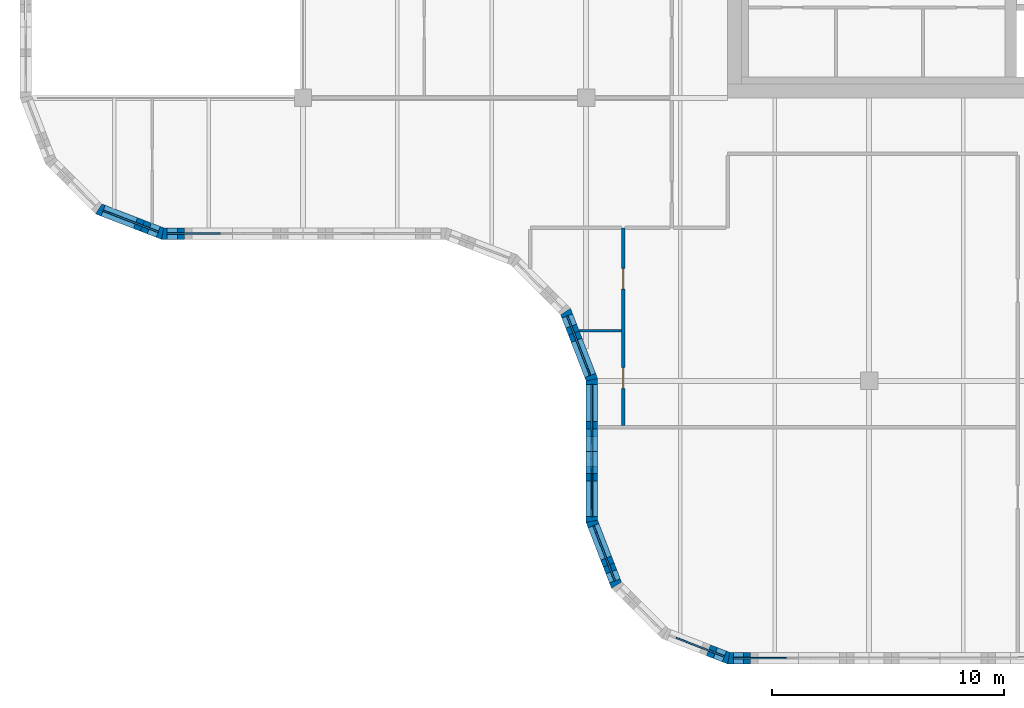
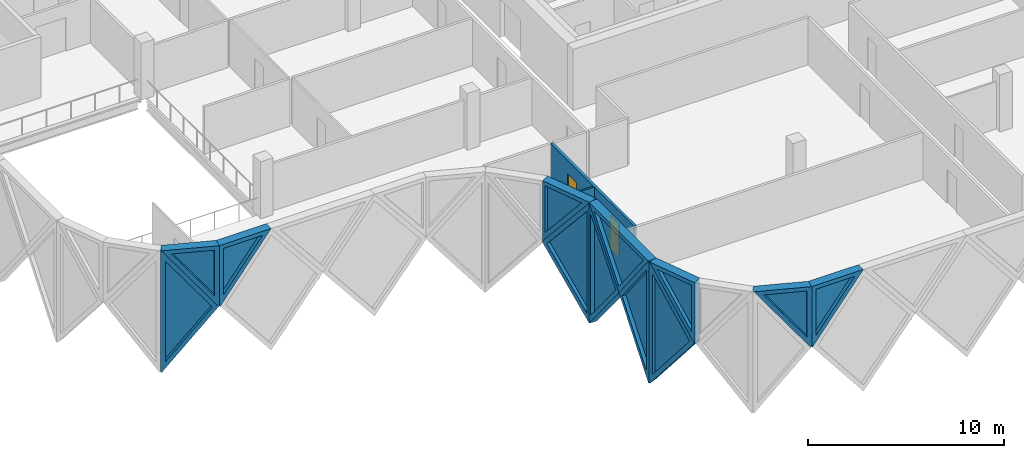
# One storey, part 3 of 15: 14 walls, 12 plates, 2 doors, 14 openings.
"""IFC4 building model written with IfcOpenShell, lengths in metres."""

from ifc_helpers import new_model, si_unit, direction, frame, frame_2d, origin, place, context, subcontext, project, spatial, polyline, rectangle, outline, extrude, faceted_brep, source, transform, mapped, material, layer, layer_set, type_object, element, fill, save


model = new_model("IFC4")

# Units and contexts
model_context = context("Model", 3, precision=1e-05, world=origin(), true_north=direction((0.0, 1.0)))
body_context = subcontext(model_context, "Body", "Model", "MODEL_VIEW")
ifc_project = project(units=[si_unit("LENGTHUNIT", "METRE"), si_unit("AREAUNIT", "SQUARE_METRE"), si_unit("VOLUMEUNIT", "CUBIC_METRE"), si_unit("PLANEANGLEUNIT", "RADIAN"), si_unit("MASSUNIT", "GRAM", prefix="KILO")], contexts=[model_context])

# Site, building, storey
site_placement = place(None, origin())
site = spatial("IfcSite", under=ifc_project, at=site_placement, CompositionType="ELEMENT")
building_placement = place(site_placement, origin())
building = spatial("IfcBuilding", under=site, at=building_placement, Name="Tessera Gate Towers", CompositionType="ELEMENT")
storey_placement = place(building_placement, frame((0.0, 0.0, 189.60009765625)))
storey = spatial("IfcBuildingStorey", under=building, at=storey_placement, Name="L47", CompositionType="ELEMENT", Elevation=189.60009765625)

# Wall
ifc_material_1 = material(Name="Gypsum board on steel studs", Category="steel")
ifc_layer_1 = layer(ifc_material_1, 0.10009765625)
ifc_layer_set_1 = layer_set([ifc_layer_1], Name="PARTITION 100")
wall_type_1 = type_object("IfcWallType", Name="PARTITION 100", PredefinedType="PARTITIONING", material=ifc_layer_set_1)
wall_1_placement = place(storey_placement, frame((24.104736328125, 14.35498046875, 0.0), z_axis=(0.0, 0.0, 1.0), x_axis=(1.0, 0.0, 0.0)))
element("IfcWall", 1, at=wall_1_placement, inside=storey, type_object=wall_type_1, Name="T1-L47-PW-011", PredefinedType="PARTITIONING", context=body_context, shape_type="SweptSolid", body=[
    extrude(rectangle(XDim=1.8193359375, YDim=0.10009765625, at=frame_2d((0.90966796875, 0.0))), origin(), (0.0, 0.0, 1.0), 2.947021484375),
])

# Wall, openings, doors
ifc_material_2 = material(Name="Gypsum board on steel studs, mineral wool", Category="steel")
ifc_layer_2 = layer(ifc_material_2, 0.14990234375)
ifc_layer_set_2 = layer_set([ifc_layer_2], Name="TENANCY WALL 150")
wall_type_2 = type_object("IfcWallType", Name="TENANCY WALL 150", PredefinedType="PARTITIONING", material=ifc_layer_set_2)
wall_2_placement = place(storey_placement, frame((26.0, 10.27587890625, 0.0), z_axis=(0.0, 0.0, 1.0), x_axis=(0.0, 1.0, 0.0)))
wall_2 = element("IfcWall", 2, at=wall_2_placement, inside=storey, type_object=wall_type_2, Name="T1-L47-PW-007", PredefinedType="PARTITIONING", context=body_context, shape_type="SweptSolid", body=[
    extrude(rectangle(XDim=8.524169921875, YDim=0.14990234375, at=frame_2d((4.26220703125, 0.0))), origin(), (0.0, 0.0, 1.0), 2.947021484375),
])
shared_shape_1 = source(origin(), body_context, "Body", "SweptSolid", [
    extrude(rectangle(XDim=0.89990234375, YDim=2.10009765625, at=frame_2d((0.449951171875, 1.050048828125))), frame((0.0, 0.0849609375, 0.0), z_axis=(0.0, -1.0, 0.0), x_axis=(1.0, 0.0, 0.0)), (0.0, 0.0, 1.0), 0.169921875),
])
opening_1_placement = place(wall_2_placement, frame((1.60009765625, 0.0, 0.0)))
opening_1 = element("IfcOpeningElement", 3, at=opening_1_placement, cuts=wall_2, Name="Opening D190-A17-01", PredefinedType="OPENING", context=body_context, shape_type="MappedRepresentation", body=[
    mapped(shared_shape_1, transform((0.0, 0.0, 0.0), scale=1.0)),
])
opening_2_placement = place(wall_2_placement, frame((5.878662109375, 0.0, 0.0)))
opening_2 = element("IfcOpeningElement", 4, at=opening_2_placement, cuts=wall_2, Name="Opening D190-A17-02", PredefinedType="OPENING", context=body_context, shape_type="MappedRepresentation", body=[
    mapped(shared_shape_1, transform((0.0, 0.0, 0.0), scale=1.0)),
])
ifc_material_3 = material(Name="Timber door leaf in steel frame", Category="steel")
door_type = type_object("IfcDoorType", Name="INTERNAL DOOR 900 NOT RATED", OperationType="NOTDEFINED", PredefinedType="DOOR", material=ifc_material_3)
shared_shape_2 = source(origin(), body_context, "Body", "SweptSolid", [
    extrude(rectangle(XDim=0.89990234375, YDim=2.10009765625, at=frame_2d((0.449951171875, 1.050048828125))), frame((0.0, 0.02490234375, 0.0), z_axis=(0.0, -1.0, 0.0), x_axis=(1.0, 0.0, 0.0)), (0.0, 0.0, 1.0), 0.050048828125),
])
door_1_placement = place(opening_1_placement, origin())
door_1 = element("IfcDoor", 5, at=door_1_placement, inside=storey, type_object=door_type, Name="T1-L47-PD-002", OperationType="SINGLE_SWING_LEFT", OverallHeight=2.10009765625, OverallWidth=0.89990234375, PredefinedType="DOOR", context=body_context, shape_type="MappedRepresentation", body=[
    mapped(shared_shape_2, transform((0.0, 0.0, 0.0), scale=1.0)),
])
fill(opening_1, door_1)
door_2_placement = place(opening_2_placement, origin())
door_2 = element("IfcDoor", 6, at=door_2_placement, inside=storey, type_object=door_type, Name="T1-L47-PD-004", OperationType="SINGLE_SWING_LEFT", OverallHeight=2.10009765625, OverallWidth=0.89990234375, PredefinedType="DOOR", context=body_context, shape_type="MappedRepresentation", body=[
    mapped(shared_shape_2, transform((0.0, 0.0, 0.0), scale=1.0)),
])
fill(opening_2, door_2)

# Wall, opening, plate
ifc_material_4 = material(Name="Precast concrete C60/75 white", Category="concrete")
ifc_layer_3 = layer(ifc_material_4, 0.5)
ifc_layer_set_3 = layer_set([ifc_layer_3], Name="TS3 corner tessera")
wall_type_3 = type_object("IfcWallType", Name="TS3 corner tessera", PredefinedType="SOLIDWALL", material=ifc_layer_set_3)
shared_shape_3 = source(origin(), body_context, "Body", "Brep", [
    faceted_brep([(3.00341796875, -0.25, 0.0), (3.050048828125, -0.25, 0.06005859375), (3.050048828125, -0.25, 7.539794921875), (3.00341796875, -0.25, 7.599853515625), (0.0, -0.25, 3.800048828125), (0.0, 0.25, 3.800048828125), (2.956787109375, 0.25, 7.541015625), (2.956787109375, 0.25, 0.058837890625), (3.00341796875, 0.000244140625, 0.0), (3.00341796875, 0.000244140625, 7.599853515625)], [[[0, 1, 2, 3, 4]], [[5, 6, 7]], [[1, 0, 8]], [[9, 3, 2]], [[6, 5, 4, 3, 9]], [[5, 7, 8, 0, 4]], [[1, 8, 7, 6, 9, 2]]]),
])
wall_3_placement = place(storey_placement, frame((24.64990234375, 9.14990234375, -3.800048828125), z_axis=(0.0, 0.0, 1.0), x_axis=(0.0, -1.0, 0.0)))
wall_3 = element("IfcWall", 7, at=wall_3_placement, inside=storey, type_object=wall_type_3, Name="Precast corner tessera T1 TS3-1101", PredefinedType="SOLIDWALL", context=body_context, shape_type="MappedRepresentation", body=[
    mapped(shared_shape_3, transform((0.0, 0.0, 0.0), scale=1.0)),
])
shared_shape_4 = source(origin(), body_context, "Body", "SweptSolid", [
    extrude(outline(polyline([(2.803466796875, 6.94384765625), (0.318603515625, 3.800048828125), (2.803466796875, 0.65625), (2.803466796875, 6.94384765625)])), frame((0.0, 0.260009765625, 0.0), z_axis=(0.0, -1.0, 0.0), x_axis=(1.0, 0.0, 0.0)), (0.0, 0.0, 1.0), 0.52001953125),
])
opening_3_placement = place(wall_3_placement, origin())
opening_3 = element("IfcOpeningElement", 8, at=opening_3_placement, cuts=wall_3, Name="Opening T1-PL2-1735", PredefinedType="OPENING", context=body_context, shape_type="MappedRepresentation", body=[
    mapped(shared_shape_4, transform((0.0, 0.0, 0.0), scale=1.0)),
])
ifc_material_5 = material(Name="Low-e laminated glass", Category="glass")
ifc_layer_4 = layer(ifc_material_5, 0.06005859375)
ifc_layer_set_4 = layer_set([ifc_layer_4], Name="PL2 rhombic pane")
plate_type_1 = type_object("IfcPlateType", Name="PL2 rhombic pane", PredefinedType="SHEET", material=ifc_layer_set_4)
shared_shape_5 = source(origin(), body_context, "Body", "SweptSolid", [
    extrude(outline(polyline([(2.803466796875, 6.94384765625), (0.318603515625, 3.800048828125), (2.803466796875, 0.65625), (2.803466796875, 6.94384765625)])), frame((0.0, 0.030029296875, 0.0), z_axis=(0.0, -1.0, 0.0), x_axis=(1.0, 0.0, 0.0)), (0.0, 0.0, 1.0), 0.06005859375),
])
plate_1_placement = place(opening_3_placement, origin())
plate_1 = element("IfcPlate", 9, at=plate_1_placement, inside=storey, type_object=plate_type_1, Name="Glass pane T1 PL2-1735", PredefinedType="SHEET", context=body_context, shape_type="MappedRepresentation", body=[
    mapped(shared_shape_5, transform((0.0, 0.0, 0.0), scale=1.0)),
])
fill(opening_3, plate_1)

shared_shape_6 = source(origin(), body_context, "Body", "Brep", [
    faceted_brep([(0.046630859375, -0.25, 0.0), (2.9970703125, -0.25, 3.800048828125), (0.046630859375, -0.25, 7.599853515625), (0.0, -0.25, 7.541015625), (0.0, -0.25, 0.058837890625), (0.09326171875, 0.25, 7.539794921875), (2.9443359375, 0.25, 3.8681640625), (2.9443359375, 0.25, 3.73193359375), (0.09326171875, 0.25, 0.06005859375), (2.9970703125, 0.00048828125, 3.800048828125), (0.046630859375, 0.0, 0.0), (0.046630859375, 0.0, 7.599853515625)], [[[0, 1, 2, 3, 4]], [[5, 6, 7, 8]], [[8, 7, 9, 1, 0, 10]], [[6, 5, 11, 2, 1, 9]], [[3, 2, 11]], [[10, 0, 4]], [[8, 10, 4, 3, 11, 5]], [[7, 6, 9]]]),
])
wall_4_placement = place(storey_placement, frame((24.63330078125, 6.18994140625, -3.800048828125), z_axis=(0.0, 0.0, 1.0), x_axis=(0.359901446078, -0.932990326376, 0.0)))
wall_4 = element("IfcWall", 10, at=wall_4_placement, inside=storey, type_object=wall_type_3, Name="Precast corner tessera T1 TS3-1102", PredefinedType="SOLIDWALL", context=body_context, shape_type="MappedRepresentation", body=[
    mapped(shared_shape_6, transform((0.0, 0.0, 0.0), scale=1.0)),
])
shared_shape_7 = source(origin(), body_context, "Body", "SweptSolid", [
    extrude(outline(polyline([(0.24658203125, 0.665283203125), (2.6806640625, 3.800048828125), (0.24658203125, 6.934814453125), (0.24658203125, 0.665283203125)])), frame((0.0, 0.260009765625, 0.0), z_axis=(0.0, -1.0, 0.0), x_axis=(1.0, 0.0, 0.0)), (0.0, 0.0, 1.0), 0.52001953125),
])
opening_4_placement = place(wall_4_placement, origin())
opening_4 = element("IfcOpeningElement", 11, at=opening_4_placement, cuts=wall_4, Name="Opening T1-PL2-1736", PredefinedType="OPENING", context=body_context, shape_type="MappedRepresentation", body=[
    mapped(shared_shape_7, transform((0.0, 0.0, 0.0), scale=1.0)),
])
shared_shape_8 = source(origin(), body_context, "Body", "SweptSolid", [
    extrude(outline(polyline([(0.24658203125, 0.665283203125), (2.6806640625, 3.800048828125), (0.24658203125, 6.934814453125), (0.24658203125, 0.665283203125)])), frame((0.0, 0.030029296875, 0.0), z_axis=(0.0, -1.0, 0.0), x_axis=(1.0, 0.0, 0.0)), (0.0, 0.0, 1.0), 0.06005859375),
])
plate_2_placement = place(opening_4_placement, origin())
plate_2 = element("IfcPlate", 12, at=plate_2_placement, inside=storey, type_object=plate_type_1, Name="Glass pane T1 PL2-1736", PredefinedType="SHEET", context=body_context, shape_type="MappedRepresentation", body=[
    mapped(shared_shape_8, transform((0.0, 0.0, 0.0), scale=1.0)),
])
fill(opening_4, plate_2)

shared_shape_9 = source(origin(), body_context, "Body", "Brep", [
    faceted_brep([(0.052978515625, -0.25, 0.0), (3.00341796875, -0.25, 3.800048828125), (0.052978515625, -0.25, 7.599853515625), (0.0, -0.25, 7.531494140625), (0.0, -0.25, 0.068359375), (0.10595703125, 0.25, 7.53173828125), (2.95703125, 0.25, 3.85986328125), (2.95703125, 0.25, 3.740234375), (0.10595703125, 0.25, 0.068115234375), (3.00341796875, 0.00048828125, 3.800048828125), (0.052978515625, 0.0, 0.0), (0.052978515625, 0.0, 7.599853515625)], [[[0, 1, 2, 3, 4]], [[5, 6, 7, 8]], [[8, 7, 9, 1, 0, 10]], [[6, 5, 11, 2, 1, 9]], [[3, 2, 11]], [[10, 0, 4]], [[8, 10, 4, 3, 11, 5]], [[7, 6, 9]]]),
])
wall_5_placement = place(storey_placement, frame((3.34423828125, 19.630859375, -3.800048828125), z_axis=(0.0, 0.0, 1.0), x_axis=(0.933007896601, -0.359855894603, 0.0)))
wall_5 = element("IfcWall", 13, at=wall_5_placement, inside=storey, type_object=wall_type_3, Name="Precast corner tessera T1 TS3-1096", PredefinedType="SOLIDWALL", context=body_context, shape_type="MappedRepresentation", body=[
    mapped(shared_shape_9, transform((0.0, 0.0, 0.0), scale=1.0)),
])
shared_shape_10 = source(origin(), body_context, "Body", "SweptSolid", [
    extrude(outline(polyline([(0.2529296875, 0.665283203125), (2.68701171875, 3.800048828125), (0.2529296875, 6.934814453125), (0.2529296875, 0.665283203125)])), frame((0.0, 0.260009765625, 0.0), z_axis=(0.0, -1.0, 0.0), x_axis=(1.0, 0.0, 0.0)), (0.0, 0.0, 1.0), 0.52001953125),
])
opening_5_placement = place(wall_5_placement, origin())
opening_5 = element("IfcOpeningElement", 14, at=opening_5_placement, cuts=wall_5, Name="Opening T1-PL2-1728", PredefinedType="OPENING", context=body_context, shape_type="MappedRepresentation", body=[
    mapped(shared_shape_10, transform((0.0, 0.0, 0.0), scale=1.0)),
])
shared_shape_11 = source(origin(), body_context, "Body", "SweptSolid", [
    extrude(outline(polyline([(0.2529296875, 0.665283203125), (2.68701171875, 3.800048828125), (0.2529296875, 6.934814453125), (0.2529296875, 0.665283203125)])), frame((0.0, 0.030029296875, 0.0), z_axis=(0.0, -1.0, 0.0), x_axis=(1.0, 0.0, 0.0)), (0.0, 0.0, 1.0), 0.06005859375),
])
plate_3_placement = place(opening_5_placement, origin())
plate_3 = element("IfcPlate", 15, at=plate_3_placement, inside=storey, type_object=plate_type_1, Name="Glass pane T1 PL2-1728", PredefinedType="SHEET", context=body_context, shape_type="MappedRepresentation", body=[
    mapped(shared_shape_11, transform((0.0, 0.0, 0.0), scale=1.0)),
])
fill(opening_5, plate_3)

shared_shape_12 = source(origin(), body_context, "Body", "Brep", [
    faceted_brep([(3.10302734375, -0.25, 7.543701171875), (0.052978515625, -0.25, 3.864013671875), (0.052978515625, -0.25, 3.736083984375), (3.10302734375, -0.25, 0.05615234375), (0.0, 0.25, 3.800048828125), (3.1494140625, 0.25, 7.599853515625), (3.196044921875, 0.25, 7.542724609375), (3.196044921875, 0.25, 0.05712890625), (3.1494140625, 0.25, 0.0), (3.1494140625, -0.000244140625, 0.0), (3.1494140625, -0.000244140625, 7.599853515625), (0.0, 0.0, 3.800048828125)], [[[0, 1, 2, 3]], [[4, 5, 6, 7, 8]], [[8, 7, 9]], [[6, 5, 10]], [[5, 4, 11, 1, 0, 10]], [[4, 8, 9, 3, 2, 11]], [[2, 1, 11]], [[3, 9, 7, 6, 10, 0]]]),
])
wall_6_placement = place(storey_placement, frame((23.5166015625, 15.18505859375, -3.800048828125), z_axis=(0.0, 0.0, 1.0), x_axis=(0.359864468756, -0.933004589553, 0.0)))
wall_6 = element("IfcWall", 16, at=wall_6_placement, inside=storey, type_object=wall_type_3, Name="Precast corner tessera T1 TS3-1099", PredefinedType="SOLIDWALL", context=body_context, shape_type="MappedRepresentation", body=[
    mapped(shared_shape_12, transform((0.0, 0.0, 0.0), scale=1.0)),
])
shared_shape_13 = source(origin(), body_context, "Body", "SweptSolid", [
    extrude(outline(polyline([(2.949462890625, 6.966796875), (0.32470703125, 3.800048828125), (2.949462890625, 0.633056640625), (2.949462890625, 6.966796875)])), frame((0.0, 0.260009765625, 0.0), z_axis=(0.0, -1.0, 0.0), x_axis=(1.0, 0.0, 0.0)), (0.0, 0.0, 1.0), 0.52001953125),
])
opening_6_placement = place(wall_6_placement, origin())
opening_6 = element("IfcOpeningElement", 17, at=opening_6_placement, cuts=wall_6, Name="Opening T1-PL2-1733", PredefinedType="OPENING", context=body_context, shape_type="MappedRepresentation", body=[
    mapped(shared_shape_13, transform((0.0, 0.0, 0.0), scale=1.0)),
])
shared_shape_14 = source(origin(), body_context, "Body", "SweptSolid", [
    extrude(outline(polyline([(2.949462890625, 6.966796875), (0.32470703125, 3.800048828125), (2.949462890625, 0.633056640625), (2.949462890625, 6.966796875)])), frame((0.0, 0.030029296875, 0.0), z_axis=(0.0, -1.0, 0.0), x_axis=(1.0, 0.0, 0.0)), (0.0, 0.0, 1.0), 0.06005859375),
])
plate_4_placement = place(opening_6_placement, origin())
plate_4 = element("IfcPlate", 18, at=plate_4_placement, inside=storey, type_object=plate_type_1, Name="Glass pane T1 PL2-1733", PredefinedType="SHEET", context=body_context, shape_type="MappedRepresentation", body=[
    mapped(shared_shape_14, transform((0.0, 0.0, 0.0), scale=1.0)),
])
fill(opening_6, plate_4)

shared_shape_15 = source(origin(), body_context, "Body", "Brep", [
    faceted_brep([(0.09326171875, -0.25, 0.05712890625), (3.14306640625, -0.25, 3.800048828125), (0.09326171875, -0.25, 7.542724609375), (0.0, 0.25, 7.543701171875), (0.046630859375, 0.25, 7.599853515625), (3.14306640625, 0.25, 3.800048828125), (0.046630859375, 0.25, 0.0), (0.0, 0.25, 0.05615234375), (0.046630859375, 0.0, 0.0), (0.046630859375, 0.0, 7.599853515625)], [[[0, 1, 2]], [[3, 4, 5, 6, 7]], [[6, 5, 1, 0, 8]], [[5, 4, 9, 2, 1]], [[4, 3, 9]], [[7, 6, 8]], [[7, 8, 0, 2, 9, 3]]]),
])
wall_7_placement = place(storey_placement, frame((24.64990234375, 12.293212890625, -3.800048828125), z_axis=(0.0, 0.0, 1.0), x_axis=(0.0, -1.0, 0.0)))
wall_7 = element("IfcWall", 19, at=wall_7_placement, inside=storey, type_object=wall_type_3, Name="Precast corner tessera T1 TS3-1100", PredefinedType="SOLIDWALL", context=body_context, shape_type="MappedRepresentation", body=[
    mapped(shared_shape_15, transform((0.0, 0.0, 0.0), scale=1.0)),
])
shared_shape_16 = source(origin(), body_context, "Body", "SweptSolid", [
    extrude(outline(polyline([(0.24658203125, 0.64111328125), (2.82080078125, 3.800048828125), (0.24658203125, 6.958740234375), (0.24658203125, 0.64111328125)])), frame((0.0, 0.260009765625, 0.0), z_axis=(0.0, -1.0, 0.0), x_axis=(1.0, 0.0, 0.0)), (0.0, 0.0, 1.0), 0.52001953125),
])
opening_7_placement = place(wall_7_placement, origin())
opening_7 = element("IfcOpeningElement", 20, at=opening_7_placement, cuts=wall_7, Name="Opening T1-PL2-1734", PredefinedType="OPENING", context=body_context, shape_type="MappedRepresentation", body=[
    mapped(shared_shape_16, transform((0.0, 0.0, 0.0), scale=1.0)),
])
shared_shape_17 = source(origin(), body_context, "Body", "SweptSolid", [
    extrude(outline(polyline([(0.24658203125, 0.64111328125), (2.82080078125, 3.800048828125), (0.24658203125, 6.958740234375), (0.24658203125, 0.64111328125)])), frame((0.0, 0.030029296875, 0.0), z_axis=(0.0, -1.0, 0.0), x_axis=(1.0, 0.0, 0.0)), (0.0, 0.0, 1.0), 0.06005859375),
])
plate_5_placement = place(opening_7_placement, origin())
plate_5 = element("IfcPlate", 21, at=plate_5_placement, inside=storey, type_object=plate_type_1, Name="Glass pane T1 PL2-1734", PredefinedType="SHEET", context=body_context, shape_type="MappedRepresentation", body=[
    mapped(shared_shape_17, transform((0.0, 0.0, 0.0), scale=1.0)),
])
fill(opening_7, plate_5)

shared_shape_18 = source(origin(), body_context, "Body", "Brep", [
    faceted_brep([(0.046630859375, -0.25, 0.0), (3.050048828125, -0.25, 3.7998046875), (0.0, -0.25, 3.7998046875), (0.0, -0.25, 0.06005859375), (0.09326171875, 0.25, 3.7998046875), (3.050048828125, 0.25, 3.7998046875), (0.09326171875, 0.25, 0.058837890625), (0.046630859375, 0.0, 0.0)], [[[0, 1, 2, 3]], [[4, 5, 6]], [[6, 5, 1, 0, 7]], [[5, 4, 2, 1]], [[7, 0, 3]], [[6, 7, 3, 2, 4]]]),
])
wall_8_placement = place(storey_placement, frame((30.5, 0.25, 0.0), z_axis=(0.0, 0.0, 1.0), x_axis=(1.0, 0.0, 0.0)))
wall_8 = element("IfcWall", 22, at=wall_8_placement, inside=storey, type_object=wall_type_3, Name="Precast corner tessera T1 TS3-1105", PredefinedType="SOLIDWALL", context=body_context, shape_type="MappedRepresentation", body=[
    mapped(shared_shape_18, transform((0.0, 0.0, 0.0), scale=1.0)),
])
shared_shape_19 = source(origin(), body_context, "Body", "SweptSolid", [
    extrude(outline(polyline([(0.24658203125, 0.656005859375), (2.533935546875, 3.5498046875), (0.24658203125, 3.5498046875), (0.24658203125, 0.656005859375)])), frame((0.0, 0.260009765625, 0.0), z_axis=(0.0, -1.0, 0.0), x_axis=(1.0, 0.0, 0.0)), (0.0, 0.0, 1.0), 0.52001953125),
])
opening_8_placement = place(wall_8_placement, origin())
opening_8 = element("IfcOpeningElement", 23, at=opening_8_placement, cuts=wall_8, Name="Opening T1-PL1-0423", PredefinedType="OPENING", context=body_context, shape_type="MappedRepresentation", body=[
    mapped(shared_shape_19, transform((0.0, 0.0, 0.0), scale=1.0)),
])
ifc_material_6 = material(Name="Low-e laminated glass", Category="glass")
ifc_layer_5 = layer(ifc_material_6, 0.06005859375)
ifc_layer_set_5 = layer_set([ifc_layer_5], Name="PL1 triangular pane")
plate_type_2 = type_object("IfcPlateType", Name="PL1 triangular pane", PredefinedType="SHEET", material=ifc_layer_set_5)
shared_shape_20 = source(origin(), body_context, "Body", "SweptSolid", [
    extrude(outline(polyline([(0.24658203125, 0.656005859375), (2.533935546875, 3.5498046875), (0.24658203125, 3.5498046875), (0.24658203125, 0.656005859375)])), frame((0.0, 0.030029296875, 0.0), z_axis=(0.0, -1.0, 0.0), x_axis=(1.0, 0.0, 0.0)), (0.0, 0.0, 1.0), 0.06005859375),
])
plate_6_placement = place(opening_8_placement, origin())
plate_6 = element("IfcPlate", 24, at=plate_6_placement, inside=storey, type_object=plate_type_2, Name="Glass pane T1 PL1-0423", PredefinedType="SHEET", context=body_context, shape_type="MappedRepresentation", body=[
    mapped(shared_shape_20, transform((0.0, 0.0, 0.0), scale=1.0)),
])
fill(opening_8, plate_6)

wall_9_placement = place(storey_placement, frame((6.099853515625, 18.550048828125, 0.0), z_axis=(0.0, 0.0, 1.0), x_axis=(1.0, 0.0, 0.0)))
wall_9 = element("IfcWall", 25, at=wall_9_placement, inside=storey, type_object=wall_type_3, Name="Precast corner tessera T1 TS3-1122", PredefinedType="SOLIDWALL", context=body_context, shape_type="MappedRepresentation", body=[
    mapped(shared_shape_18, transform((0.0, 0.0, 0.0), scale=1.0)),
])
opening_9_placement = place(wall_9_placement, origin())
opening_9 = element("IfcOpeningElement", 26, at=opening_9_placement, cuts=wall_9, Name="Opening T1-PL1-0461", PredefinedType="OPENING", context=body_context, shape_type="MappedRepresentation", body=[
    mapped(shared_shape_19, transform((0.0, 0.0, 0.0), scale=1.0)),
])
plate_7_placement = place(opening_9_placement, origin())
plate_7 = element("IfcPlate", 27, at=plate_7_placement, inside=storey, type_object=plate_type_2, Name="Glass pane T1 PL1-0461", PredefinedType="SHEET", context=body_context, shape_type="MappedRepresentation", body=[
    mapped(shared_shape_20, transform((0.0, 0.0, 0.0), scale=1.0)),
])
fill(opening_9, plate_7)

shared_shape_21 = source(origin(), body_context, "Body", "Brep", [
    faceted_brep([(2.950439453125, -0.25, 0.0), (2.9970703125, -0.25, 0.05908203125), (2.9970703125, -0.25, 3.7998046875), (0.0, -0.25, 3.7998046875), (0.052978515625, 0.25, 3.7998046875), (2.904052734375, 0.25, 3.7998046875), (2.904052734375, 0.25, 0.059814453125), (0.052978515625, 0.25, 3.731689453125), (2.950439453125, 0.00048828125, 0.0), (0.0, 0.0, 3.7998046875)], [[[0, 1, 2, 3]], [[4, 5, 6, 7]], [[1, 0, 8]], [[5, 4, 9, 3, 2]], [[7, 6, 8, 0, 3, 9]], [[7, 9, 4]], [[1, 8, 6, 5, 2]]]),
])
wall_10_placement = place(storey_placement, frame((27.793701171875, 1.31201171875, 0.0), z_axis=(0.0, 0.0, 1.0), x_axis=(0.932973525033, -0.359944998003, 0.0)))
wall_10 = element("IfcWall", 28, at=wall_10_placement, inside=storey, type_object=wall_type_3, Name="Precast corner tessera T1 TS3-1106", PredefinedType="SOLIDWALL", context=body_context, shape_type="MappedRepresentation", body=[
    mapped(shared_shape_21, transform((0.0, 0.0, 0.0), scale=1.0)),
])
shared_shape_22 = source(origin(), body_context, "Body", "SweptSolid", [
    extrude(outline(polyline([(2.75048828125, 3.5498046875), (0.5107421875, 3.5498046875), (2.75048828125, 0.6650390625), (2.75048828125, 3.5498046875)])), frame((0.0, 0.260009765625, 0.0), z_axis=(0.0, -1.0, 0.0), x_axis=(1.0, 0.0, 0.0)), (0.0, 0.0, 1.0), 0.52001953125),
])
opening_10_placement = place(wall_10_placement, origin())
opening_10 = element("IfcOpeningElement", 29, at=opening_10_placement, cuts=wall_10, Name="Opening T1-PL1-0424", PredefinedType="OPENING", context=body_context, shape_type="MappedRepresentation", body=[
    mapped(shared_shape_22, transform((0.0, 0.0, 0.0), scale=1.0)),
])
shared_shape_23 = source(origin(), body_context, "Body", "SweptSolid", [
    extrude(outline(polyline([(2.75048828125, 3.5498046875), (0.5107421875, 3.5498046875), (2.75048828125, 0.6650390625), (2.75048828125, 3.5498046875)])), frame((0.0, 0.030029296875, 0.0), z_axis=(0.0, -1.0, 0.0), x_axis=(1.0, 0.0, 0.0)), (0.0, 0.0, 1.0), 0.06005859375),
])
plate_8_placement = place(opening_10_placement, origin())
plate_8 = element("IfcPlate", 30, at=plate_8_placement, inside=storey, type_object=plate_type_2, Name="Glass pane T1 PL1-0424", PredefinedType="SHEET", context=body_context, shape_type="MappedRepresentation", body=[
    mapped(shared_shape_23, transform((0.0, 0.0, 0.0), scale=1.0)),
])
fill(opening_10, plate_8)

shared_shape_24 = source(origin(), body_context, "Body", "Brep", [
    faceted_brep([(2.950439453125, -0.25, 0.0), (2.9970703125, -0.25, 0.05908203125), (2.9970703125, -0.25, 3.7998046875), (0.0, -0.25, 3.7998046875), (0.052978515625, 0.25, 3.7998046875), (2.904052734375, 0.25, 3.7998046875), (2.904052734375, 0.25, 0.059814453125), (0.052978515625, 0.25, 3.731689453125), (2.950439453125, 0.00048828125, 0.0), (0.0, 0.0, 3.7998046875)], [[[0, 1, 2, 3]], [[4, 5, 6, 7]], [[1, 0, 8]], [[5, 4, 9, 3, 2]], [[7, 6, 8, 0, 3, 9]], [[7, 9, 4]], [[1, 8, 6, 5, 2]]]),
])
wall_11_placement = place(storey_placement, frame((3.393798828125, 19.61181640625, 0.0), z_axis=(0.0, 0.0, 1.0), x_axis=(0.932990326376, -0.359901446078, 0.0)))
wall_11 = element("IfcWall", 31, at=wall_11_placement, inside=storey, type_object=wall_type_3, Name="Precast corner tessera T1 TS3-1121", PredefinedType="SOLIDWALL", context=body_context, shape_type="MappedRepresentation", body=[
    mapped(shared_shape_24, transform((0.0, 0.0, 0.0), scale=1.0)),
])
opening_11_placement = place(wall_11_placement, origin())
opening_11 = element("IfcOpeningElement", 32, at=opening_11_placement, cuts=wall_11, Name="Opening T1-PL1-0460", PredefinedType="OPENING", context=body_context, shape_type="MappedRepresentation", body=[
    mapped(shared_shape_22, transform((0.0, 0.0, 0.0), scale=1.0)),
])
plate_9_placement = place(opening_11_placement, origin())
plate_9 = element("IfcPlate", 33, at=plate_9_placement, inside=storey, type_object=plate_type_2, Name="Glass pane T1 PL1-0460", PredefinedType="SHEET", context=body_context, shape_type="MappedRepresentation", body=[
    mapped(shared_shape_23, transform((0.0, 0.0, 0.0), scale=1.0)),
])
fill(opening_11, plate_9)

shared_shape_25 = source(origin(), body_context, "Body", "Brep", [
    faceted_brep([(0.10595703125, -0.25, 0.06396484375), (3.156005859375, -0.25, 3.74365234375), (3.156005859375, -0.25, 3.7998046875), (0.10595703125, -0.25, 3.7998046875), (0.0, 0.25, 3.7998046875), (3.202392578125, 0.25, 3.7998046875), (0.052978515625, 0.25, 0.0), (0.0, 0.25, 0.063720703125), (3.202392578125, -0.000244140625, 3.7998046875), (0.052978515625, 0.0, 0.0)], [[[0, 1, 2, 3]], [[4, 5, 6, 7]], [[6, 5, 8, 1, 0, 9]], [[5, 4, 3, 2, 8]], [[7, 6, 9]], [[7, 9, 0, 3, 4]], [[1, 8, 2]]]),
])
wall_12_placement = place(storey_placement, frame((23.497314453125, 15.234375, 0.0), z_axis=(0.0, 0.0, 1.0), x_axis=(0.359913782069, -0.932985567668, 0.0)))
wall_12 = element("IfcWall", 34, at=wall_12_placement, inside=storey, type_object=wall_type_3, Name="Precast corner tessera T1 TS3-1126", PredefinedType="SOLIDWALL", context=body_context, shape_type="MappedRepresentation", body=[
    mapped(shared_shape_25, transform((0.0, 0.0, 0.0), scale=1.0)),
])
shared_shape_26 = source(origin(), body_context, "Body", "SweptSolid", [
    extrude(outline(polyline([(0.2529296875, 0.633056640625), (2.670654296875, 3.5498046875), (0.2529296875, 3.5498046875), (0.2529296875, 0.633056640625)])), frame((0.0, 0.260009765625, 0.0), z_axis=(0.0, -1.0, 0.0), x_axis=(1.0, 0.0, 0.0)), (0.0, 0.0, 1.0), 0.52001953125),
])
opening_12_placement = place(wall_12_placement, origin())
opening_12 = element("IfcOpeningElement", 35, at=opening_12_placement, cuts=wall_12, Name="Opening T1-PL1-0466", PredefinedType="OPENING", context=body_context, shape_type="MappedRepresentation", body=[
    mapped(shared_shape_26, transform((0.0, 0.0, 0.0), scale=1.0)),
])
shared_shape_27 = source(origin(), body_context, "Body", "SweptSolid", [
    extrude(outline(polyline([(0.2529296875, 0.633056640625), (2.670654296875, 3.5498046875), (0.2529296875, 3.5498046875), (0.2529296875, 0.633056640625)])), frame((0.0, 0.030029296875, 0.0), z_axis=(0.0, -1.0, 0.0), x_axis=(1.0, 0.0, 0.0)), (0.0, 0.0, 1.0), 0.06005859375),
])
plate_10_placement = place(opening_12_placement, origin())
plate_10 = element("IfcPlate", 36, at=plate_10_placement, inside=storey, type_object=plate_type_2, Name="Glass pane T1 PL1-0466", PredefinedType="SHEET", context=body_context, shape_type="MappedRepresentation", body=[
    mapped(shared_shape_27, transform((0.0, 0.0, 0.0), scale=1.0)),
])
fill(opening_12, plate_10)

ifc_material_7 = material(Name="Precast concrete C60/75 white", Category="concrete")
ifc_layer_6 = layer(ifc_material_7, 0.5)
ifc_layer_set_6 = layer_set([ifc_layer_6], Name="TS2 half tessera")
wall_type_4 = type_object("IfcWallType", Name="TS2 half tessera", PredefinedType="SOLIDWALL", material=ifc_layer_set_6)
shared_shape_28 = source(origin(), body_context, "Body", "Brep", [
    faceted_brep([(3.096435546875, -0.25, 0.0), (6.10009765625, -0.25, 3.7998046875), (0.046630859375, -0.25, 3.7998046875), (0.046630859375, -0.25, 3.74267578125), (0.0, 0.25, 3.7998046875), (6.053466796875, 0.25, 3.7998046875), (6.053466796875, 0.25, 3.74072265625), (3.096435546875, 0.25, 0.0), (6.10009765625, -0.00048828125, 3.7998046875), (0.0, 0.0, 3.7998046875)], [[[0, 1, 2, 3]], [[4, 5, 6, 7]], [[7, 6, 8, 1, 0]], [[5, 4, 9, 2, 1, 8]], [[4, 7, 0, 3, 9]], [[3, 2, 9]], [[6, 5, 8]]]),
])
wall_13_placement = place(storey_placement, frame((24.64990234375, 12.24658203125, 0.0), z_axis=(0.0, 0.0, 1.0), x_axis=(0.0, -1.0, 0.0)))
wall_13 = element("IfcWall", 37, at=wall_13_placement, inside=storey, type_object=wall_type_4, Name="Precast half tessera T1 TS2-0229", PredefinedType="SOLIDWALL", context=body_context, shape_type="MappedRepresentation", body=[
    mapped(shared_shape_28, transform((0.0, 0.0, 0.0), scale=1.0)),
])
shared_shape_29 = source(origin(), body_context, "Body", "SweptSolid", [
    extrude(outline(polyline([(3.093505859375, 0.3994140625), (5.583740234375, 3.5498046875), (0.526123046875, 3.5498046875), (3.093505859375, 0.3994140625)])), frame((0.0, 0.260009765625, 0.0), z_axis=(0.0, -1.0, 0.0), x_axis=(1.0, 0.0, 0.0)), (0.0, 0.0, 1.0), 0.52001953125),
])
opening_13_placement = place(wall_13_placement, origin())
opening_13 = element("IfcOpeningElement", 38, at=opening_13_placement, cuts=wall_13, Name="Opening T1-PL1-0467", PredefinedType="OPENING", context=body_context, shape_type="MappedRepresentation", body=[
    mapped(shared_shape_29, transform((0.0, 0.0, 0.0), scale=1.0)),
])
shared_shape_30 = source(origin(), body_context, "Body", "SweptSolid", [
    extrude(outline(polyline([(3.093505859375, 0.3994140625), (5.583740234375, 3.5498046875), (0.526123046875, 3.5498046875), (3.093505859375, 0.3994140625)])), frame((0.0, 0.030029296875, 0.0), z_axis=(0.0, -1.0, 0.0), x_axis=(1.0, 0.0, 0.0)), (0.0, 0.0, 1.0), 0.06005859375),
])
plate_11_placement = place(opening_13_placement, origin())
plate_11 = element("IfcPlate", 39, at=plate_11_placement, inside=storey, type_object=plate_type_2, Name="Glass pane T1 PL1-0467", PredefinedType="SHEET", context=body_context, shape_type="MappedRepresentation", body=[
    mapped(shared_shape_30, transform((0.0, 0.0, 0.0), scale=1.0)),
])
fill(opening_13, plate_11)

shared_shape_31 = source(origin(), body_context, "Body", "Brep", [
    faceted_brep([(2.950439453125, -0.25, 0.0), (3.00341796875, -0.25, 0.068359375), (3.00341796875, -0.25, 3.7998046875), (0.0, -0.25, 3.7998046875), (0.046630859375, 0.25, 3.7998046875), (2.897705078125, 0.25, 3.7998046875), (2.897705078125, 0.25, 0.068115234375), (0.046630859375, 0.25, 3.73974609375), (2.950439453125, 0.00048828125, 0.0), (0.0, 0.0, 3.7998046875)], [[[0, 1, 2, 3]], [[4, 5, 6, 7]], [[1, 0, 8]], [[5, 4, 9, 3, 2]], [[7, 6, 8, 0, 3, 9]], [[7, 9, 4]], [[1, 8, 6, 5, 2]]]),
])
wall_14_placement = place(storey_placement, frame((24.64990234375, 6.146484375, 0.0), z_axis=(0.0, 0.0, 1.0), x_axis=(0.359953949349, -0.932970071518, 0.0)))
wall_14 = element("IfcWall", 40, at=wall_14_placement, inside=storey, type_object=wall_type_3, Name="Precast corner tessera T1 TS3-1127", PredefinedType="SOLIDWALL", context=body_context, shape_type="MappedRepresentation", body=[
    mapped(shared_shape_31, transform((0.0, 0.0, 0.0), scale=1.0)),
])
opening_14_placement = place(wall_14_placement, origin())
opening_14 = element("IfcOpeningElement", 41, at=opening_14_placement, cuts=wall_14, Name="Opening T1-PL1-0468", PredefinedType="OPENING", context=body_context, shape_type="MappedRepresentation", body=[
    mapped(shared_shape_22, transform((0.0, 0.0, 0.0), scale=1.0)),
])
plate_12_placement = place(opening_14_placement, origin())
plate_12 = element("IfcPlate", 42, at=plate_12_placement, inside=storey, type_object=plate_type_2, Name="Glass pane T1 PL1-0468", PredefinedType="SHEET", context=body_context, shape_type="MappedRepresentation", body=[
    mapped(shared_shape_23, transform((0.0, 0.0, 0.0), scale=1.0)),
])
fill(opening_14, plate_12)

save(model, "model.ifc")
